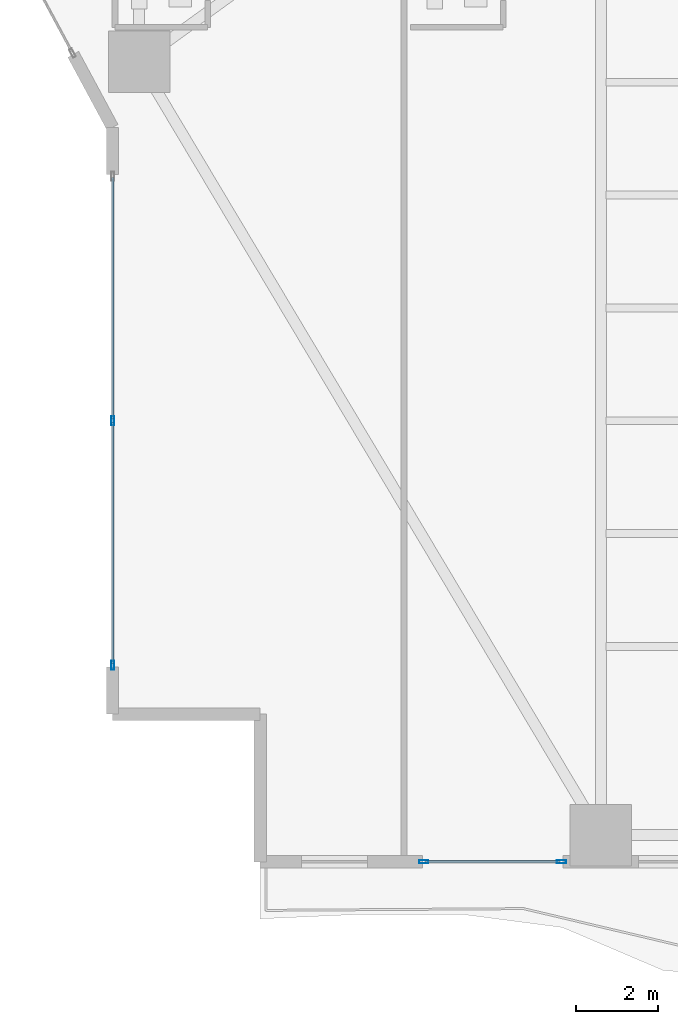
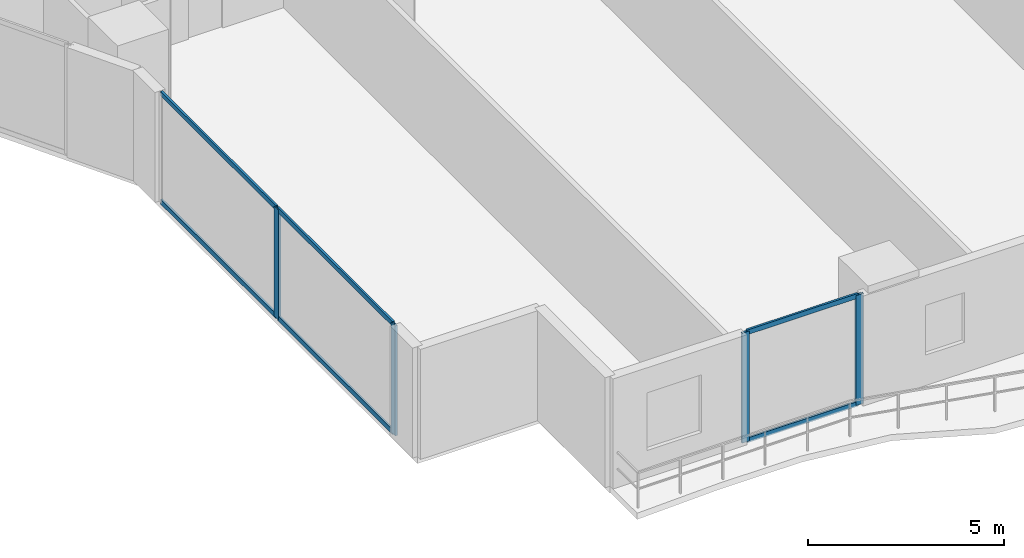
# One storey, part 2 of 28: 10 members, 2 elements without a shape of their own.
"""IFC4 building model written with IfcOpenShell, lengths in metres."""

from ifc_helpers import new_model, si_unit, direction, frame, origin, origin_2d, place, context, subcontext, project, spatial, hollow_rectangle, extrude, material, layer, layer_set, material_profile, profile_set, type_object, element, aggregate, save


model = new_model("IFC4")

# Units and contexts
model_context = context("Model", 3, precision=1e-05, world=origin(), true_north=direction((0.0, 1.0)))
body_context = subcontext(model_context, "Body", "Model", "MODEL_VIEW")
ifc_project = project(units=[si_unit("LENGTHUNIT", "METRE"), si_unit("AREAUNIT", "SQUARE_METRE"), si_unit("VOLUMEUNIT", "CUBIC_METRE"), si_unit("PLANEANGLEUNIT", "RADIAN"), si_unit("MASSUNIT", "GRAM", prefix="KILO")], contexts=[model_context])

# Site, building, storey
site_placement = place(None, origin())
site = spatial("IfcSite", under=ifc_project, at=site_placement, CompositionType="ELEMENT")
building_placement = place(site_placement, origin())
building = spatial("IfcBuilding", under=site, at=building_placement, Name="Zuhayl Quay Hotel", CompositionType="ELEMENT")
storey_placement = place(building_placement, frame((0.0, 0.0, 49.5)))
storey = spatial("IfcBuildingStorey", under=building, at=storey_placement, Name="L11", CompositionType="ELEMENT", Elevation=49.5)

# Curtain wall, members
ifc_material_1 = material(Name="Anodised Aluminium 6063-T6", Category="aluminium")
ifc_layer = layer(ifc_material_1, 0.18994140625, Name="Anodised Aluminium 6063-T6", Category="aluminium")
ifc_layer_set = layer_set([ifc_layer], Name="Anodised Aluminium 6063-T6")
curtain_wall_type = type_object("IfcCurtainWallType", Name="CW_SYS_Z1", PredefinedType="USERDEFINED", material=ifc_layer_set)
curtain_wall_1_placement = place(storey_placement, origin())
curtain_wall_1 = element("IfcCurtainWall", 1, at=curtain_wall_1_placement, inside=storey, type_object=curtain_wall_type, Name="L11 Curtain Wall ENV_L11_E02_CW1", ObjectType="UNITISED CURTAIN WALL", PredefinedType="USERDEFINED")
ifc_material_2 = material(Name="Black-anodised aluminium 6063-T6", Category="aluminium")
ifc_material_profile_1 = material_profile(ifc_material_2, hollow_rectangle(XDim=0.074951171875, YDim=0.219970703125, WallThickness=0.00390625, at=origin_2d()), Name="ALU220X75")
ifc_profile_set_1 = profile_set([ifc_material_profile_1], Name="Black-anodised aluminium 6063-T6")
member_type_1 = type_object("IfcMemberType", Name="MB_CW_MUL_220", PredefinedType="MULLION", material=ifc_profile_set_1)
member_1_placement = place(storey_placement, frame((-25.699951171875, -18.3125, 0.0), z_axis=(0.0, 0.0, 1.0), x_axis=(-1.0, 0.0, 0.0)))
member_1 = element("IfcMember", 2, at=member_1_placement, type_object=member_type_1, Name="CW-Z1 mullion 1", PredefinedType="MULLION", context=body_context, shape_type="SweptSolid", body=[
    extrude(hollow_rectangle(XDim=0.074951171875, YDim=0.219970703125, WallThickness=0.00390625, at=origin_2d()), origin(), (0.0, 0.0, 1.0), 3.429931640625),
])
member_2_placement = place(storey_placement, frame((-25.699951171875, -12.35009765625, 0.0), z_axis=(0.0, 0.0, 1.0), x_axis=(-1.0, 0.0, 0.0)))
member_2 = element("IfcMember", 3, at=member_2_placement, type_object=member_type_1, Name="CW-Z1 mullion 2", PredefinedType="MULLION", context=body_context, shape_type="SweptSolid", body=[
    extrude(hollow_rectangle(XDim=0.074951171875, YDim=0.219970703125, WallThickness=0.00390625, at=origin_2d()), origin(), (0.0, 0.0, 1.0), 3.429931640625),
])

curtain_wall_2_placement = place(storey_placement, origin())
curtain_wall_2 = element("IfcCurtainWall", 4, at=curtain_wall_2_placement, inside=storey, type_object=curtain_wall_type, Name="L11 Curtain Wall ENV_L11_S_CW5", ObjectType="UNITISED CURTAIN WALL", PredefinedType="USERDEFINED")
member_3_placement = place(storey_placement, frame((-14.757568359375, -23.10009765625, 0.0), z_axis=(0.0, 0.0, 1.0), x_axis=(0.0, -1.0, 0.0)))
member_3 = element("IfcMember", 5, at=member_3_placement, type_object=member_type_1, Name="CW-Z1 mullion 1", PredefinedType="MULLION", context=body_context, shape_type="SweptSolid", body=[
    extrude(hollow_rectangle(XDim=0.074951171875, YDim=0.219970703125, WallThickness=0.00390625, at=origin_2d()), origin(), (0.0, 0.0, 1.0), 3.429931640625),
])
member_4_placement = place(storey_placement, frame((-18.112548828125, -23.10009765625, 0.0), z_axis=(0.0, 0.0, 1.0), x_axis=(0.0, -1.0, 0.0)))
member_4 = element("IfcMember", 6, at=member_4_placement, type_object=member_type_1, Name="CW-Z1 mullion 2", PredefinedType="MULLION", context=body_context, shape_type="SweptSolid", body=[
    extrude(hollow_rectangle(XDim=0.074951171875, YDim=0.219970703125, WallThickness=0.00390625, at=origin_2d()), origin(), (0.0, 0.0, 1.0), 3.429931640625),
])

# Member
ifc_material_profile_2 = material_profile(ifc_material_2, hollow_rectangle(XDim=0.06005859375, YDim=0.14990234375, WallThickness=0.00341796875, at=origin_2d()), Name="ALU150X60")
ifc_profile_set_2 = profile_set([ifc_material_profile_2], Name="Black-anodised aluminium 6063-T6")
member_type_2 = type_object("IfcMemberType", Name="MB_CW_TRN_150", PredefinedType="USERDEFINED", material=ifc_profile_set_2)
member_5_placement = place(storey_placement, frame((-25.699951171875, -18.27490234375, 0.030029296875), z_axis=(0.0, 1.0, 0.0), x_axis=(-1.0, 0.0, 0.0)))
member_5 = element("IfcMember", 7, at=member_5_placement, type_object=member_type_2, Name="CW-Z1 transom 1.1", ObjectType="TRANSOM", PredefinedType="USERDEFINED", context=body_context, shape_type="SweptSolid", body=[
    extrude(hollow_rectangle(XDim=0.06005859375, YDim=0.14990234375, WallThickness=0.00341796875, at=origin_2d()), origin(), (0.0, 0.0, 1.0), 5.887451171875),
])

member_6_placement = place(storey_placement, frame((-25.699951171875, -18.27490234375, 3.39990234375), z_axis=(0.0, 1.0, 0.0), x_axis=(-1.0, 0.0, 0.0)))
member_6 = element("IfcMember", 8, at=member_6_placement, type_object=member_type_2, Name="CW-Z1 transom 1.2", ObjectType="TRANSOM", PredefinedType="USERDEFINED", context=body_context, shape_type="SweptSolid", body=[
    extrude(hollow_rectangle(XDim=0.06005859375, YDim=0.14990234375, WallThickness=0.00341796875, at=origin_2d()), origin(), (0.0, 0.0, 1.0), 5.887451171875),
])

member_7_placement = place(storey_placement, frame((-25.699951171875, -12.3125, 0.030029296875), z_axis=(0.0, 1.0, 0.0), x_axis=(-1.0, 0.0, 0.0)))
member_7 = element("IfcMember", 9, at=member_7_placement, type_object=member_type_2, Name="CW-Z1 transom 2.1", ObjectType="TRANSOM", PredefinedType="USERDEFINED", context=body_context, shape_type="SweptSolid", body=[
    extrude(hollow_rectangle(XDim=0.06005859375, YDim=0.14990234375, WallThickness=0.00341796875, at=origin_2d()), origin(), (0.0, 0.0, 1.0), 5.887451171875),
])

member_8_placement = place(storey_placement, frame((-25.699951171875, -12.3125, 3.39990234375), z_axis=(0.0, 1.0, 0.0), x_axis=(-1.0, 0.0, 0.0)))
member_8 = element("IfcMember", 10, at=member_8_placement, type_object=member_type_2, Name="CW-Z1 transom 2.2", ObjectType="TRANSOM", PredefinedType="USERDEFINED", context=body_context, shape_type="SweptSolid", body=[
    extrude(hollow_rectangle(XDim=0.06005859375, YDim=0.14990234375, WallThickness=0.00341796875, at=origin_2d()), origin(), (0.0, 0.0, 1.0), 5.887451171875),
])

aggregate(curtain_wall_1, [member_1, member_2, member_5, member_6, member_7, member_8])

member_9_placement = place(storey_placement, frame((-14.794921875, -23.10009765625, 0.030029296875), z_axis=(-1.0, 0.0, 0.0), x_axis=(0.0, -1.0, 0.0)))
member_9 = element("IfcMember", 11, at=member_9_placement, type_object=member_type_2, Name="CW-Z1 transom 1.1", ObjectType="TRANSOM", PredefinedType="USERDEFINED", context=body_context, shape_type="SweptSolid", body=[
    extrude(hollow_rectangle(XDim=0.06005859375, YDim=0.14990234375, WallThickness=0.00341796875, at=origin_2d()), origin(), (0.0, 0.0, 1.0), 3.280029296875),
])

member_10_placement = place(storey_placement, frame((-14.794921875, -23.10009765625, 3.39990234375), z_axis=(-1.0, 0.0, 0.0), x_axis=(0.0, -1.0, 0.0)))
member_10 = element("IfcMember", 12, at=member_10_placement, type_object=member_type_2, Name="CW-Z1 transom 1.2", ObjectType="TRANSOM", PredefinedType="USERDEFINED", context=body_context, shape_type="SweptSolid", body=[
    extrude(hollow_rectangle(XDim=0.06005859375, YDim=0.14990234375, WallThickness=0.00341796875, at=origin_2d()), origin(), (0.0, 0.0, 1.0), 3.280029296875),
])

aggregate(curtain_wall_2, [member_3, member_4, member_9, member_10])

save(model, "model.ifc")
